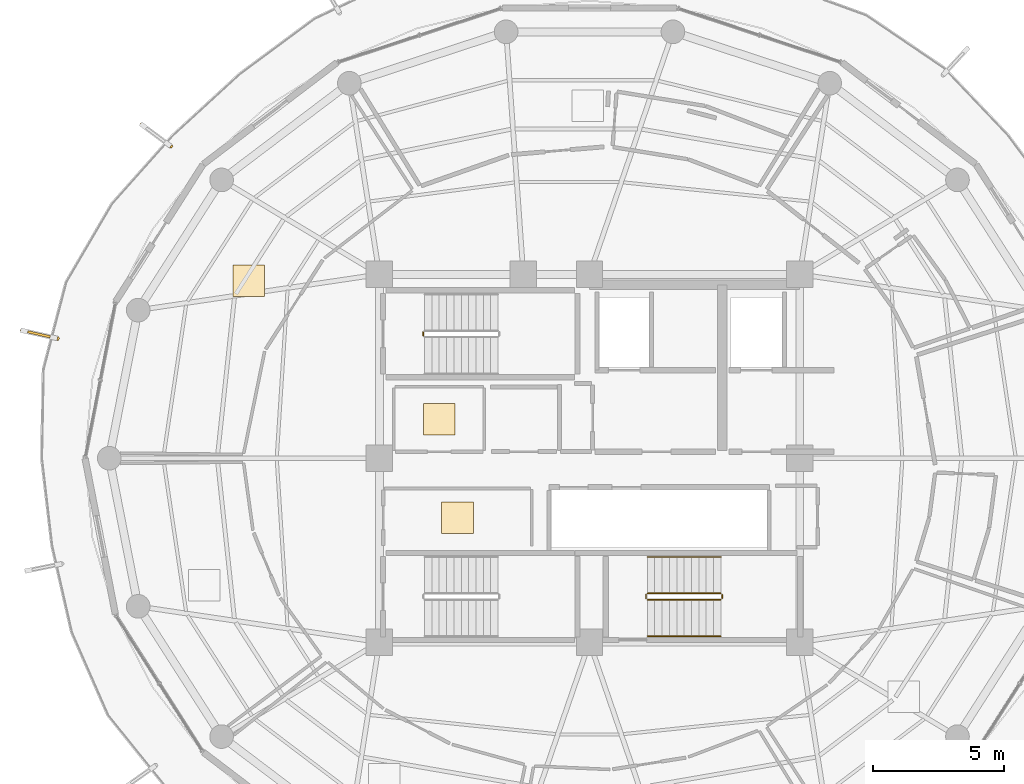
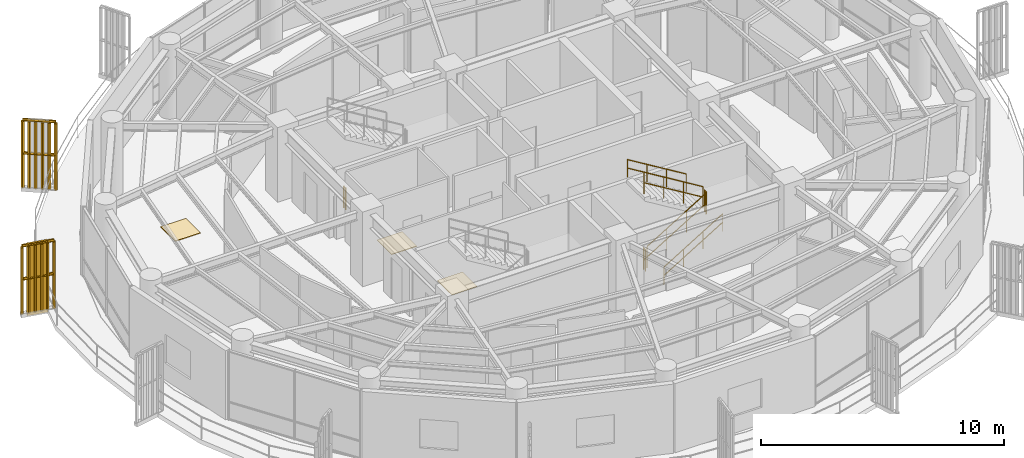
# One storey, part 20 of 22: 9 railings, 3 coverings, 1 shading device.
"""IFC4 building model written with IfcOpenShell, lengths in metres."""

from ifc_helpers import new_model, si_unit, direction, frame, origin, origin_2d, place, context, subcontext, project, spatial, polyline, rectangle, outline, extrude, source, transform, mapped, material, layer, layer_set, type_object, element, save


model = new_model("IFC4")

# Units and contexts
model_context = context("Model", 3, precision=1e-05, world=origin(), true_north=direction((0.0, 1.0)))
body_context = subcontext(model_context, "Body", "Model", "MODEL_VIEW")
ifc_project = project(units=[si_unit("LENGTHUNIT", "METRE"), si_unit("AREAUNIT", "SQUARE_METRE"), si_unit("VOLUMEUNIT", "CUBIC_METRE"), si_unit("PLANEANGLEUNIT", "RADIAN"), si_unit("MASSUNIT", "GRAM", prefix="KILO")], contexts=[model_context])

# Site, building, storey
site_placement = place(None, origin())
site = spatial("IfcSite", under=ifc_project, at=site_placement, CompositionType="ELEMENT")
building_placement = place(site_placement, origin())
building = spatial("IfcBuilding", under=site, at=building_placement, Name="Kelanora Arch Commons", CompositionType="ELEMENT")
storey_placement = place(building_placement, frame((0.0, 0.0, 267.449951171875)))
storey = spatial("IfcBuildingStorey", under=building, at=storey_placement, Name="L68", CompositionType="ELEMENT", Elevation=267.449951171875)

# Railings
ifc_material_1 = material(Name="Anodised bronze vertical shading fin rib assembly")
railing_type_1 = type_object("IfcRailingType", Name="RAIL-FIN-BRZ", PredefinedType="BALUSTRADE", material=ifc_material_1)
railing_1_placement = place(storey_placement, frame((58.06005859375, 69.87548828125, -0.02001953125)))
element("IfcRailing", 1, at=railing_1_placement, inside=storey, type_object=railing_type_1, Name="Sweeping Bronze Vertical Fin Blade L68-07", PredefinedType="BALUSTRADE", context=body_context, shape_type="SweptSolid", body=[
    extrude(outline(polyline([(0.06982421875, 0.0), (0.034912109375, 0.060546875), (-0.034912109375, 0.060546875), (-0.06982421875, 0.0), (-0.034912109375, -0.060546875), (0.034912109375, -0.060546875), (0.06982421875, 0.0)])), frame((0.0, 0.0, 3.419921875), z_axis=(-0.801891162584, 0.597470135964, 0.0), x_axis=(-0.597470135964, -0.801891162584, 0.0)), (0.0, 0.0, 1.0), 1.375732421875),
    extrude(outline(polyline([(0.06982421875, 0.0), (0.034912109375, 0.060546875), (-0.034912109375, 0.060546875), (-0.06982421875, 0.0), (-0.034912109375, -0.060546875), (0.034912109375, -0.060546875), (0.06982421875, 0.0)])), frame((0.0, 0.0, 1.7451171875), z_axis=(-0.801891162584, 0.597470135964, 0.0), x_axis=(-0.597470135964, -0.801891162584, 0.0)), (0.0, 0.0, 1.0), 1.375732421875),
    extrude(outline(polyline([(0.080078125, 0.0), (0.0400390625, 0.0693359375), (-0.0400390625, 0.0693359375), (-0.080078125, 0.0), (-0.0400390625, -0.0693359375), (0.0400390625, -0.0693359375), (0.080078125, 0.0)])), origin(), (0.0, 0.0, 1.0), 3.35009765625),
    extrude(outline(polyline([(0.080078125, 0.0), (0.0400390625, 0.0693359375), (-0.0400390625, 0.0693359375), (-0.080078125, 0.0), (-0.0400390625, -0.0693359375), (0.0400390625, -0.0693359375), (0.080078125, 0.0)])), frame((-0.220703125, 0.164306640625, 0.0)), (0.0, 0.0, 1.0), 3.35009765625),
    extrude(outline(polyline([(0.080078125, 0.0), (0.0400390625, 0.0693359375), (-0.0400390625, 0.0693359375), (-0.080078125, 0.0), (-0.0400390625, -0.0693359375), (0.0400390625, -0.0693359375), (0.080078125, 0.0)])), frame((-0.44140625, 0.328857421875, 0.0)), (0.0, 0.0, 1.0), 3.35009765625),
    extrude(outline(polyline([(0.080078125, 0.0), (0.0400390625, 0.0693359375), (-0.0400390625, 0.0693359375), (-0.080078125, 0.0), (-0.0400390625, -0.0693359375), (0.0400390625, -0.0693359375), (0.080078125, 0.0)])), frame((-0.661865234375, 0.4931640625, 0.0)), (0.0, 0.0, 1.0), 3.35009765625),
    extrude(outline(polyline([(0.080078125, 0.0), (0.0400390625, 0.0693359375), (-0.0400390625, 0.0693359375), (-0.080078125, 0.0), (-0.0400390625, -0.0693359375), (0.0400390625, -0.0693359375), (0.080078125, 0.0)])), frame((-0.882568359375, 0.65771484375, 0.0)), (0.0, 0.0, 1.0), 3.35009765625),
    extrude(outline(polyline([(0.080078125, 0.0), (0.0400390625, 0.0693359375), (-0.0400390625, 0.0693359375), (-0.080078125, 0.0), (-0.0400390625, -0.0693359375), (0.0400390625, -0.0693359375), (0.080078125, 0.0)])), frame((-1.103271484375, 0.822021484375, 0.0)), (0.0, 0.0, 1.0), 3.35009765625),
])
railing_2_placement = place(storey_placement, frame((53.746826171875, 62.559326171875, -0.02001953125)))
element("IfcRailing", 2, at=railing_2_placement, inside=storey, type_object=railing_type_1, Name="Sweeping Bronze Vertical Fin Blade L68-08", PredefinedType="BALUSTRADE", context=body_context, shape_type="SweptSolid", body=[
    extrude(outline(polyline([(0.06982421875, 0.0), (0.034912109375, 0.060546875), (-0.034912109375, 0.060546875), (-0.06982421875, 0.0), (-0.034912109375, -0.060546875), (0.034912109375, -0.060546875), (0.06982421875, 0.0)])), frame((0.0, 0.0, 3.419921875), z_axis=(-0.975573642363, 0.219672639004, 0.0), x_axis=(-0.219672639004, -0.975573642363, 0.0)), (0.0, 0.0, 1.0), 1.3759765625),
    extrude(outline(polyline([(0.06982421875, 0.0), (0.034912109375, 0.060546875), (-0.034912109375, 0.060546875), (-0.06982421875, 0.0), (-0.034912109375, -0.060546875), (0.034912109375, -0.060546875), (0.06982421875, 0.0)])), frame((0.0, 0.0, 1.7451171875), z_axis=(-0.975573642363, 0.219672639004, 0.0), x_axis=(-0.219672639004, -0.975573642363, 0.0)), (0.0, 0.0, 1.0), 1.3759765625),
    extrude(outline(polyline([(0.080078125, 0.0), (0.0400390625, 0.0693359375), (-0.0400390625, 0.0693359375), (-0.080078125, 0.0), (-0.0400390625, -0.0693359375), (0.0400390625, -0.0693359375), (0.080078125, 0.0)])), origin(), (0.0, 0.0, 1.0), 3.35009765625),
    extrude(outline(polyline([(0.080078125, 0.0), (0.0400390625, 0.0693359375), (-0.0400390625, 0.0693359375), (-0.080078125, 0.0), (-0.0400390625, -0.0693359375), (0.0400390625, -0.0693359375), (0.080078125, 0.0)])), frame((-0.2685546875, 0.060546875, 0.0)), (0.0, 0.0, 1.0), 3.35009765625),
    extrude(outline(polyline([(0.080078125, 0.0), (0.0400390625, 0.0693359375), (-0.0400390625, 0.0693359375), (-0.080078125, 0.0), (-0.0400390625, -0.0693359375), (0.0400390625, -0.0693359375), (0.080078125, 0.0)])), frame((-0.536865234375, 0.120849609375, 0.0)), (0.0, 0.0, 1.0), 3.35009765625),
    extrude(outline(polyline([(0.080078125, 0.0), (0.0400390625, 0.0693359375), (-0.0400390625, 0.0693359375), (-0.080078125, 0.0), (-0.0400390625, -0.0693359375), (0.0400390625, -0.0693359375), (0.080078125, 0.0)])), frame((-0.805419921875, 0.181396484375, 0.0)), (0.0, 0.0, 1.0), 3.35009765625),
    extrude(outline(polyline([(0.080078125, 0.0), (0.0400390625, 0.0693359375), (-0.0400390625, 0.0693359375), (-0.080078125, 0.0), (-0.0400390625, -0.0693359375), (0.0400390625, -0.0693359375), (0.080078125, 0.0)])), frame((-1.07373046875, 0.24169921875, 0.0)), (0.0, 0.0, 1.0), 3.35009765625),
    extrude(outline(polyline([(0.080078125, 0.0), (0.0400390625, 0.0693359375), (-0.0400390625, 0.0693359375), (-0.080078125, 0.0), (-0.0400390625, -0.0693359375), (0.0400390625, -0.0693359375), (0.080078125, 0.0)])), frame((-1.34228515625, 0.30224609375, 0.0)), (0.0, 0.0, 1.0), 3.35009765625),
])
ifc_material_2 = material(Name="Painted steel stair well guard", Category="steel")
railing_type_2 = type_object("IfcRailingType", Name="RAIL-STAIR-GRD", PredefinedType="GUARDRAIL", material=ifc_material_2)
railing_3_placement = place(storey_placement, frame((67.669921875, 62.659912109375, 0.0)))
element("IfcRailing", 3, at=railing_3_placement, inside=storey, type_object=railing_type_2, Name="L68 ST-T1 stair guard 4", PredefinedType="GUARDRAIL", context=body_context, shape_type="SweptSolid", body=[
    extrude(outline(polyline([(0.02392578125, 0.0), (0.011962890625, 0.020751953125), (-0.011962890625, 0.020751953125), (-0.02392578125, 0.0), (-0.011962890625, -0.020751953125), (0.011962890625, -0.020751953125), (0.02392578125, 0.0)])), frame((0.0, 0.0, 1.076171875), z_axis=(0.0, 1.0, 0.0), x_axis=(-1.0, 0.0, 0.0)), (0.0, 0.0, 1.0), 0.150146484375),
    extrude(outline(polyline([(0.02392578125, 0.0), (0.011962890625, 0.020751953125), (-0.011962890625, 0.020751953125), (-0.02392578125, 0.0), (-0.011962890625, -0.020751953125), (0.011962890625, -0.020751953125), (0.02392578125, 0.0)])), frame((0.0, 0.0, 0.550048828125), z_axis=(0.0, 1.0, 0.0), x_axis=(-1.0, 0.0, 0.0)), (0.0, 0.0, 1.0), 0.150146484375),
    extrude(outline(polyline([(0.02099609375, 0.0), (0.010498046875, 0.01806640625), (-0.010498046875, 0.01806640625), (-0.02099609375, 0.0), (-0.010498046875, -0.01806640625), (0.010498046875, -0.01806640625), (0.02099609375, 0.0)])), origin(), (0.0, 0.0, 1.0), 1.052001953125),
    extrude(outline(polyline([(0.02099609375, 0.0), (0.010498046875, 0.01806640625), (-0.010498046875, 0.01806640625), (-0.02099609375, 0.0), (-0.010498046875, -0.01806640625), (0.010498046875, -0.01806640625), (0.02099609375, 0.0)])), frame((0.0, 0.150146484375, 0.0)), (0.0, 0.0, 1.0), 1.052001953125),
])
railing_4_placement = place(storey_placement, frame((76.199951171875, 52.610107421875, 0.17041015625)))
element("IfcRailing", 4, at=railing_4_placement, inside=storey, type_object=railing_type_2, Name="L68 ST-T2 stair guard 1", PredefinedType="GUARDRAIL", context=body_context, shape_type="SweptSolid", body=[
    extrude(outline(polyline([(0.02392578125, 0.0), (0.011962890625, 0.020751953125), (-0.011962890625, 0.020751953125), (-0.02392578125, 0.0), (-0.011962890625, -0.020751953125), (0.011962890625, -0.020751953125), (0.02392578125, 0.0)])), frame((0.0, 0.0, 1.076171875), z_axis=(0.854169791009, 0.0, 0.51999420009), x_axis=(0.0, 1.0, 0.0)), (0.0, 0.0, 1.0), 3.278076171875),
    extrude(outline(polyline([(0.02392578125, 0.0), (0.011962890625, 0.020751953125), (-0.011962890625, 0.020751953125), (-0.02392578125, 0.0), (-0.011962890625, -0.020751953125), (0.011962890625, -0.020751953125), (0.02392578125, 0.0)])), frame((0.0, 0.0, 0.550048828125), z_axis=(0.854169791009, 0.0, 0.51999420009), x_axis=(0.0, 1.0, 0.0)), (0.0, 0.0, 1.0), 3.278076171875),
    extrude(outline(polyline([(0.02099609375, 0.0), (0.010498046875, 0.01806640625), (-0.010498046875, 0.01806640625), (-0.02099609375, 0.0), (-0.010498046875, -0.01806640625), (0.010498046875, -0.01806640625), (0.02099609375, 0.0)])), origin(), (0.0, 0.0, 1.0), 1.052001953125),
    extrude(outline(polyline([(0.02099609375, 0.0), (0.010498046875, 0.01806640625), (-0.010498046875, 0.01806640625), (-0.02099609375, 0.0), (-0.010498046875, -0.01806640625), (0.010498046875, -0.01806640625), (0.02099609375, 0.0)])), frame((0.933349609375, 0.0, 0.568115234375)), (0.0, 0.0, 1.0), 1.052001953125),
    extrude(outline(polyline([(0.02099609375, 0.0), (0.010498046875, 0.01806640625), (-0.010498046875, 0.01806640625), (-0.02099609375, 0.0), (-0.010498046875, -0.01806640625), (0.010498046875, -0.01806640625), (0.02099609375, 0.0)])), frame((1.86669921875, 0.0, 1.136474609375)), (0.0, 0.0, 1.0), 1.052001953125),
    extrude(outline(polyline([(0.02099609375, 0.0), (0.010498046875, 0.01806640625), (-0.010498046875, 0.01806640625), (-0.02099609375, 0.0), (-0.010498046875, -0.01806640625), (0.010498046875, -0.01806640625), (0.02099609375, 0.0)])), frame((2.800048828125, 0.0, 1.70458984375)), (0.0, 0.0, 1.0), 1.052001953125),
])
railing_5_placement = place(storey_placement, frame((79.050048828125, 52.659912109375, 1.875)))
element("IfcRailing", 5, at=railing_5_placement, inside=storey, type_object=railing_type_2, Name="L68 ST-T2 stair guard 2", PredefinedType="GUARDRAIL", context=body_context, shape_type="SweptSolid", body=[
    extrude(outline(polyline([(0.02392578125, 0.0), (0.011962890625, 0.020751953125), (-0.011962890625, 0.020751953125), (-0.02392578125, 0.0), (-0.011962890625, -0.020751953125), (0.011962890625, -0.020751953125), (0.02392578125, 0.0)])), frame((0.0, 0.0, 1.076171875), z_axis=(0.0, 1.0, 0.0), x_axis=(-1.0, 0.0, 0.0)), (0.0, 0.0, 1.0), 0.150146484375),
    extrude(outline(polyline([(0.02392578125, 0.0), (0.011962890625, 0.020751953125), (-0.011962890625, 0.020751953125), (-0.02392578125, 0.0), (-0.011962890625, -0.020751953125), (0.011962890625, -0.020751953125), (0.02392578125, 0.0)])), frame((0.0, 0.0, 0.550048828125), z_axis=(0.0, 1.0, 0.0), x_axis=(-1.0, 0.0, 0.0)), (0.0, 0.0, 1.0), 0.150146484375),
    extrude(outline(polyline([(0.02099609375, 0.0), (0.010498046875, 0.01806640625), (-0.010498046875, 0.01806640625), (-0.02099609375, 0.0), (-0.010498046875, -0.01806640625), (0.010498046875, -0.01806640625), (0.02099609375, 0.0)])), origin(), (0.0, 0.0, 1.0), 1.052001953125),
    extrude(outline(polyline([(0.02099609375, 0.0), (0.010498046875, 0.01806640625), (-0.010498046875, 0.01806640625), (-0.02099609375, 0.0), (-0.010498046875, -0.01806640625), (0.010498046875, -0.01806640625), (0.02099609375, 0.0)])), frame((0.0, 0.150146484375, 0.0)), (0.0, 0.0, 1.0), 1.052001953125),
])
railing_6_placement = place(storey_placement, frame((79.0, 52.860107421875, 2.04541015625)))
element("IfcRailing", 6, at=railing_6_placement, inside=storey, type_object=railing_type_2, Name="L68 ST-T2 stair guard 3", PredefinedType="GUARDRAIL", context=body_context, shape_type="SweptSolid", body=[
    extrude(outline(polyline([(0.02392578125, 0.0), (0.011962890625, 0.020751953125), (-0.011962890625, 0.020751953125), (-0.02392578125, 0.0), (-0.011962890625, -0.020751953125), (0.011962890625, -0.020751953125), (0.02392578125, 0.0)])), frame((0.0, 0.0, 1.076171875), z_axis=(-0.854169791009, 0.0, 0.51999420009), x_axis=(0.0, -1.0, 0.0)), (0.0, 0.0, 1.0), 3.278076171875),
    extrude(outline(polyline([(0.02392578125, 0.0), (0.011962890625, 0.020751953125), (-0.011962890625, 0.020751953125), (-0.02392578125, 0.0), (-0.011962890625, -0.020751953125), (0.011962890625, -0.020751953125), (0.02392578125, 0.0)])), frame((0.0, 0.0, 0.550048828125), z_axis=(-0.854169791009, 0.0, 0.51999420009), x_axis=(0.0, -1.0, 0.0)), (0.0, 0.0, 1.0), 3.278076171875),
    extrude(outline(polyline([(0.02099609375, 0.0), (0.010498046875, 0.01806640625), (-0.010498046875, 0.01806640625), (-0.02099609375, 0.0), (-0.010498046875, -0.01806640625), (0.010498046875, -0.01806640625), (0.02099609375, 0.0)])), origin(), (0.0, 0.0, 1.0), 1.052001953125),
    extrude(outline(polyline([(0.02099609375, 0.0), (0.010498046875, 0.01806640625), (-0.010498046875, 0.01806640625), (-0.02099609375, 0.0), (-0.010498046875, -0.01806640625), (0.010498046875, -0.01806640625), (0.02099609375, 0.0)])), frame((-0.933349609375, 0.0, 0.568115234375)), (0.0, 0.0, 1.0), 1.052001953125),
    extrude(outline(polyline([(0.02099609375, 0.0), (0.010498046875, 0.01806640625), (-0.010498046875, 0.01806640625), (-0.02099609375, 0.0), (-0.010498046875, -0.01806640625), (0.010498046875, -0.01806640625), (0.02099609375, 0.0)])), frame((-1.86669921875, 0.0, 1.136474609375)), (0.0, 0.0, 1.0), 1.052001953125),
    extrude(outline(polyline([(0.02099609375, 0.0), (0.010498046875, 0.01806640625), (-0.010498046875, 0.01806640625), (-0.02099609375, 0.0), (-0.010498046875, -0.01806640625), (0.010498046875, -0.01806640625), (0.02099609375, 0.0)])), frame((-2.800048828125, 0.0, 1.70458984375)), (0.0, 0.0, 1.0), 1.052001953125),
])
railing_7_placement = place(storey_placement, frame((76.14990234375, 52.659912109375, 0.0)))
element("IfcRailing", 7, at=railing_7_placement, inside=storey, type_object=railing_type_2, Name="L68 ST-T2 stair guard 4", PredefinedType="GUARDRAIL", context=body_context, shape_type="SweptSolid", body=[
    extrude(outline(polyline([(0.02392578125, 0.0), (0.011962890625, 0.020751953125), (-0.011962890625, 0.020751953125), (-0.02392578125, 0.0), (-0.011962890625, -0.020751953125), (0.011962890625, -0.020751953125), (0.02392578125, 0.0)])), frame((0.0, 0.0, 1.076171875), z_axis=(0.0, 1.0, 0.0), x_axis=(-1.0, 0.0, 0.0)), (0.0, 0.0, 1.0), 0.150146484375),
    extrude(outline(polyline([(0.02392578125, 0.0), (0.011962890625, 0.020751953125), (-0.011962890625, 0.020751953125), (-0.02392578125, 0.0), (-0.011962890625, -0.020751953125), (0.011962890625, -0.020751953125), (0.02392578125, 0.0)])), frame((0.0, 0.0, 0.550048828125), z_axis=(0.0, 1.0, 0.0), x_axis=(-1.0, 0.0, 0.0)), (0.0, 0.0, 1.0), 0.150146484375),
    extrude(outline(polyline([(0.02099609375, 0.0), (0.010498046875, 0.01806640625), (-0.010498046875, 0.01806640625), (-0.02099609375, 0.0), (-0.010498046875, -0.01806640625), (0.010498046875, -0.01806640625), (0.02099609375, 0.0)])), origin(), (0.0, 0.0, 1.0), 1.052001953125),
    extrude(outline(polyline([(0.02099609375, 0.0), (0.010498046875, 0.01806640625), (-0.010498046875, 0.01806640625), (-0.02099609375, 0.0), (-0.010498046875, -0.01806640625), (0.010498046875, -0.01806640625), (0.02099609375, 0.0)])), frame((0.0, 0.150146484375, 0.0)), (0.0, 0.0, 1.0), 1.052001953125),
])
ifc_material_3 = material(Name="Brushed stainless steel stair handrail", Category="steel")
railing_type_3 = type_object("IfcRailingType", Name="RAIL-STAIR-HND", PredefinedType="HANDRAIL", material=ifc_material_3)
railing_8_placement = place(storey_placement, frame((76.199951171875, 51.22998046875, 0.17041015625)))
element("IfcRailing", 8, at=railing_8_placement, inside=storey, type_object=railing_type_3, Name="L68 ST-T2 stair handrail 1", PredefinedType="HANDRAIL", context=body_context, shape_type="SweptSolid", body=[
    extrude(outline(polyline([(0.02392578125, 0.0), (0.011962890625, 0.020751953125), (-0.011962890625, 0.020751953125), (-0.02392578125, 0.0), (-0.011962890625, -0.020751953125), (0.011962890625, -0.020751953125), (0.02392578125, 0.0)])), frame((0.0, 0.0, 0.8759765625), z_axis=(0.854169791009, 0.0, 0.51999420009), x_axis=(0.0, 1.0, 0.0)), (0.0, 0.0, 1.0), 3.278076171875),
    extrude(outline(polyline([(0.02392578125, 0.0), (0.011962890625, 0.020751953125), (-0.011962890625, 0.020751953125), (-0.02392578125, 0.0), (-0.011962890625, -0.020751953125), (0.011962890625, -0.020751953125), (0.02392578125, 0.0)])), frame((0.0, 0.0, 0.449951171875), z_axis=(0.854169791009, 0.0, 0.51999420009), x_axis=(0.0, 1.0, 0.0)), (0.0, 0.0, 1.0), 3.278076171875),
    extrude(outline(polyline([(0.02099609375, 0.0), (0.010498046875, 0.01806640625), (-0.010498046875, 0.01806640625), (-0.02099609375, 0.0), (-0.010498046875, -0.01806640625), (0.010498046875, -0.01806640625), (0.02099609375, 0.0)])), origin(), (0.0, 0.0, 1.0), 0.851806640625),
    extrude(outline(polyline([(0.02099609375, 0.0), (0.010498046875, 0.01806640625), (-0.010498046875, 0.01806640625), (-0.02099609375, 0.0), (-0.010498046875, -0.01806640625), (0.010498046875, -0.01806640625), (0.02099609375, 0.0)])), frame((0.933349609375, 0.0, 0.568115234375)), (0.0, 0.0, 1.0), 0.851806640625),
    extrude(outline(polyline([(0.02099609375, 0.0), (0.010498046875, 0.01806640625), (-0.010498046875, 0.01806640625), (-0.02099609375, 0.0), (-0.010498046875, -0.01806640625), (0.010498046875, -0.01806640625), (0.02099609375, 0.0)])), frame((1.86669921875, 0.0, 1.136474609375)), (0.0, 0.0, 1.0), 0.851806640625),
    extrude(outline(polyline([(0.02099609375, 0.0), (0.010498046875, 0.01806640625), (-0.010498046875, 0.01806640625), (-0.02099609375, 0.0), (-0.010498046875, -0.01806640625), (0.010498046875, -0.01806640625), (0.02099609375, 0.0)])), frame((2.800048828125, 0.0, 1.70458984375)), (0.0, 0.0, 1.0), 0.851806640625),
])
railing_9_placement = place(storey_placement, frame((79.0, 54.239990234375, 2.04541015625)))
element("IfcRailing", 9, at=railing_9_placement, inside=storey, type_object=railing_type_3, Name="L68 ST-T2 stair handrail 2", PredefinedType="HANDRAIL", context=body_context, shape_type="SweptSolid", body=[
    extrude(outline(polyline([(0.02392578125, 0.0), (0.011962890625, 0.020751953125), (-0.011962890625, 0.020751953125), (-0.02392578125, 0.0), (-0.011962890625, -0.020751953125), (0.011962890625, -0.020751953125), (0.02392578125, 0.0)])), frame((0.0, 0.0, 0.8759765625), z_axis=(-0.854169791009, 0.0, 0.51999420009), x_axis=(0.0, -1.0, 0.0)), (0.0, 0.0, 1.0), 3.278076171875),
    extrude(outline(polyline([(0.02392578125, 0.0), (0.011962890625, 0.020751953125), (-0.011962890625, 0.020751953125), (-0.02392578125, 0.0), (-0.011962890625, -0.020751953125), (0.011962890625, -0.020751953125), (0.02392578125, 0.0)])), frame((0.0, 0.0, 0.449951171875), z_axis=(-0.854169791009, 0.0, 0.51999420009), x_axis=(0.0, -1.0, 0.0)), (0.0, 0.0, 1.0), 3.278076171875),
    extrude(outline(polyline([(0.02099609375, 0.0), (0.010498046875, 0.01806640625), (-0.010498046875, 0.01806640625), (-0.02099609375, 0.0), (-0.010498046875, -0.01806640625), (0.010498046875, -0.01806640625), (0.02099609375, 0.0)])), origin(), (0.0, 0.0, 1.0), 0.851806640625),
    extrude(outline(polyline([(0.02099609375, 0.0), (0.010498046875, 0.01806640625), (-0.010498046875, 0.01806640625), (-0.02099609375, 0.0), (-0.010498046875, -0.01806640625), (0.010498046875, -0.01806640625), (0.02099609375, 0.0)])), frame((-0.933349609375, 0.0, 0.568115234375)), (0.0, 0.0, 1.0), 0.851806640625),
    extrude(outline(polyline([(0.02099609375, 0.0), (0.010498046875, 0.01806640625), (-0.010498046875, 0.01806640625), (-0.02099609375, 0.0), (-0.010498046875, -0.01806640625), (0.010498046875, -0.01806640625), (0.02099609375, 0.0)])), frame((-1.86669921875, 0.0, 1.136474609375)), (0.0, 0.0, 1.0), 0.851806640625),
    extrude(outline(polyline([(0.02099609375, 0.0), (0.010498046875, 0.01806640625), (-0.010498046875, 0.01806640625), (-0.02099609375, 0.0), (-0.010498046875, -0.01806640625), (0.010498046875, -0.01806640625), (0.02099609375, 0.0)])), frame((-2.800048828125, 0.0, 1.70458984375)), (0.0, 0.0, 1.0), 0.851806640625),
])

# Shading device
ifc_material_4 = material(Name="Terracotta ceramic-clad extruded aluminium fin", Category="masonry")
shading_device_type = type_object("IfcShadingDeviceType", Name="SHD-FIN-FLARE", PredefinedType="USERDEFINED", material=ifc_material_4)
shared_shape_1 = source(origin(), body_context, "Body", "SweptSolid", [
    extrude(rectangle(XDim=0.8798828125, YDim=0.090087890625, at=origin_2d()), origin(), (0.0, 0.0, 1.0), 3.610107421875),
])
shading_device_placement = place(storey_placement, frame((53.04443359375, 62.717529296875, -0.14013671875), z_axis=(0.0, 0.0, 1.0), x_axis=(-0.975572899489, 0.219675938108, 0.0)))
element("IfcShadingDevice", 10, at=shading_device_placement, inside=storey, type_object=shading_device_type, Name="Sweeping Terracotta Fin L68-08", ObjectType="FIN", PredefinedType="USERDEFINED", context=body_context, shape_type="MappedRepresentation", body=[
    mapped(shared_shape_1, transform((0.0, 0.0, 0.0), scale=1.0)),
])

# Coverings
ifc_material_5 = material(Name="Polished local granite terrazzo flooring", Category="masonry")
ifc_layer = layer(ifc_material_5, 0.030029296875)
ifc_layer_set = layer_set([ifc_layer], Name="Polished local granite terrazzo flooring")
covering_type = type_object("IfcCoveringType", Name="COV-FLR-TER", PredefinedType="FLOORING", material=ifc_layer_set)
shared_shape_2 = source(origin(), body_context, "Body", "SweptSolid", [
    extrude(rectangle(XDim=1.199951171875, YDim=1.199951171875, at=origin_2d()), origin(), (0.0, 0.0, 1.0), 0.030029296875),
])
for number, where, z_axis, x_axis, name in (
    (11, (68.27490234375, 59.485107421875, 0.0), (0.0, 0.0, 1.0), (1.0, 0.0, 0.0), "Reclaimed Core Quiet Phone Booths L68 Terrazzo Finish"),
    (12, (68.97509765625, 55.735107421875, 0.0), (0.0, 0.0, 1.0), (1.0, 0.0, 0.0), "Reclaimed Core High-Zone Pantry and Copy Room L68 Terrazzo Finish"),
    (13, (61.037841796875, 64.763916015625, 0.0), (0.0, 0.0, 1.0), (1.0, 0.0, 0.0), "Communal Dining and Social Hall L68-03 Terrazzo Finish"),
):
    element("IfcCovering", number, at=place(storey_placement, frame(where, z_axis=z_axis, x_axis=x_axis)), inside=storey, type_object=covering_type, Name=name, PredefinedType="FLOORING", context=body_context, shape_type="MappedRepresentation", body=[
        mapped(shared_shape_2, transform((0.0, 0.0, 0.0), scale=1.0)),
    ])

save(model, "model.ifc")
